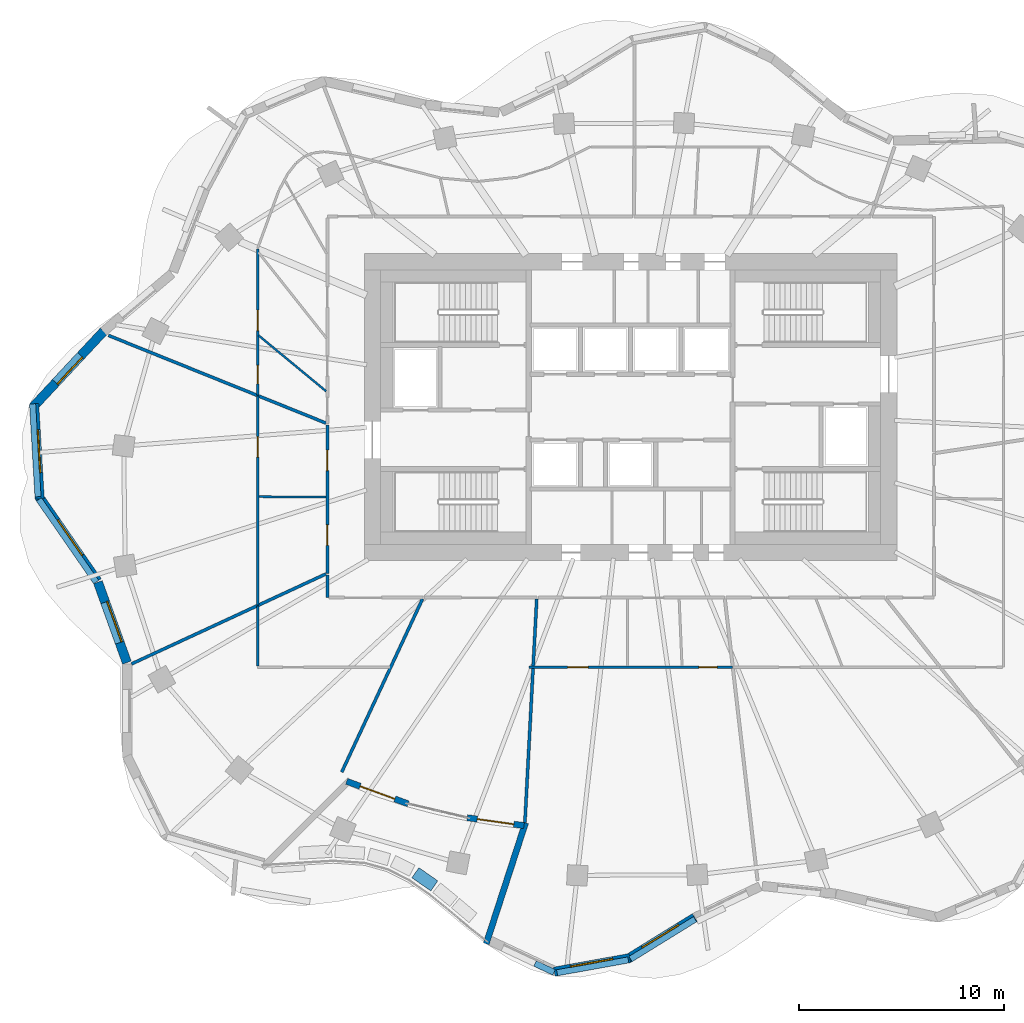
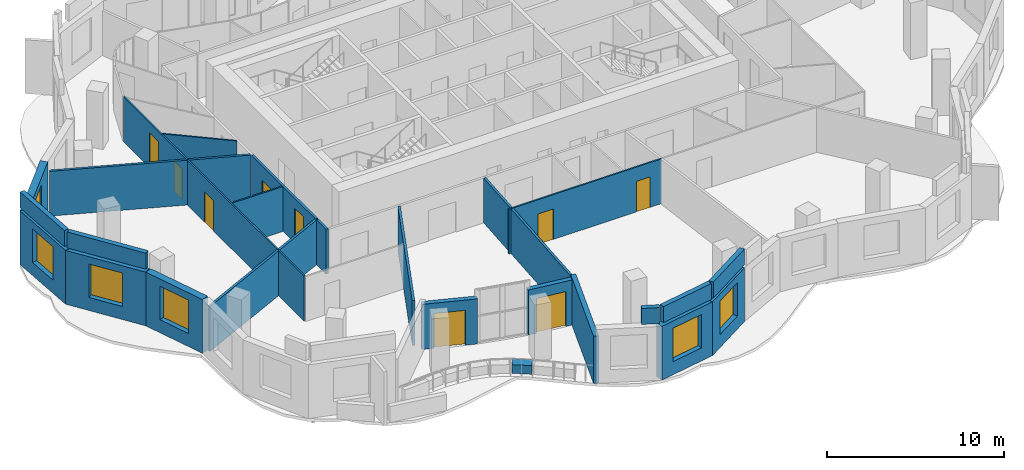
# One storey, part 5 of 13: 27 walls, 9 doors, 6 windows, 15 openings.
"""IFC4 building model written with IfcOpenShell, lengths in metres."""

import ifcopenshell
import ifcopenshell.guid

model = None  # the IFC model being written
_history = None  # IfcOwnerHistory: only IFC2X3 demands one
_inside = {}  # id of a spatial element -> (the spatial element, [elements in it])
_under = {}  # id of a project, library or spatial element -> (it, [spatial elements below it])
_declared = {}  # id of a project -> (the project, [libraries it declares])
_typed = {}  # id of a type object -> (the type object, [elements of that type])
_made_of = {}  # id of a material, layer set ... -> (it, [elements and type objects made of it])


def new_model(schema):
    """Start an empty IFC model of exactly this schema.

    Asked for "IFC4X3", IfcOpenShell would pick the latest addendum, in which some entities
    have other attributes; the version numbers below select the first issue.
    IFC2X3 requires an IfcOwnerHistory on every rooted entity: one is made here for all.
    """
    global model, _history
    if schema == "IFC4X3":
        model = ifcopenshell.file(schema_version=(4, 3, 0, 0))
    else:
        model = ifcopenshell.file(schema=schema)
    _inside.clear()
    _under.clear()
    _declared.clear()
    _typed.clear()
    _made_of.clear()
    _history = None
    if model.schema == "IFC2X3":
        org = make("IfcOrganization", Name="unknown")
        user = make(
            "IfcPersonAndOrganization",
            ThePerson=make("IfcPerson", FamilyName="unknown"),
            TheOrganization=org,
        )
        app = make(
            "IfcApplication",
            ApplicationDeveloper=org,
            Version="unknown",
            ApplicationFullName="unknown",
            ApplicationIdentifier="unknown",
        )
        _history = make(
            "IfcOwnerHistory",
            OwningUser=user,
            OwningApplication=app,
            ChangeAction="ADDED",
            CreationDate=0,
        )
    return model


def make(cls, **values):
    """One entity of the class cls with the attributes given. An attribute that is None is left unset."""
    return model.create_entity(
        cls, **{name: value for name, value in values.items() if value is not None}
    )


def rooted(cls, **values):
    """An entity with a GlobalId (a new one), such as an element, a storey or a relation."""
    return make(cls, GlobalId=ifcopenshell.guid.new(), OwnerHistory=_history, **values)


def si_unit(unit_type, name, prefix=None):
    """IfcSIUnit, for example si_unit("LENGTHUNIT", "METRE", prefix="MILLI")."""
    return make("IfcSIUnit", UnitType=unit_type, Prefix=prefix, Name=name)


def assignment(units):
    """IfcUnitAssignment: the units of a project."""
    return None if units is None else make("IfcUnitAssignment", Units=units)


def point(xyz):
    """IfcCartesianPoint."""
    return None if xyz is None else make("IfcCartesianPoint", Coordinates=xyz)


def direction(xyz):
    """IfcDirection."""
    return None if xyz is None else make("IfcDirection", DirectionRatios=xyz)


def frame(location, z_axis=None, x_axis=None):
    """IfcAxis2Placement3D, a coordinate frame: its origin and axes. An axis left out is left unset."""
    return make(
        "IfcAxis2Placement3D",
        Location=point(location),
        Axis=direction(z_axis),
        RefDirection=direction(x_axis),
    )


def frame_2d(location, x_axis=None):
    """IfcAxis2Placement2D, a coordinate frame in the plane: its origin and x axis."""
    return make(
        "IfcAxis2Placement2D", Location=point(location), RefDirection=direction(x_axis)
    )


def origin():
    """The frame at (0, 0, 0) with its axes left unset."""
    return frame((0.0, 0.0, 0.0))


def place(relative_to, where):
    """IfcLocalPlacement: puts the frame where relative to a parent placement (None: the world)."""
    return make(
        "IfcLocalPlacement", PlacementRelTo=relative_to, RelativePlacement=where
    )


def context(
    kind, dimensions, precision=None, world=None, true_north=None, identifier=None
):
    """IfcGeometricRepresentationContext, for example the 3D "Model" context."""
    return make(
        "IfcGeometricRepresentationContext",
        ContextIdentifier=identifier,
        ContextType=kind,
        CoordinateSpaceDimension=dimensions,
        Precision=precision,
        WorldCoordinateSystem=world,
        TrueNorth=true_north,
    )


def subcontext(parent, identifier, kind, view, scale=None):
    """IfcGeometricRepresentationSubContext, for example "Body" below "Model"."""
    return make(
        "IfcGeometricRepresentationSubContext",
        ContextIdentifier=identifier,
        ContextType=kind,
        ParentContext=parent,
        TargetScale=scale,
        TargetView=view,
    )


def project(units=None, contexts=None):
    """IfcProject with its units and contexts."""
    return rooted(
        "IfcProject",
        Name="project",
        RepresentationContexts=contexts,
        UnitsInContext=assignment(units),
    )


def spatial(cls, under=None, at=None, **own):
    """A site, building, storey or space (cls), placed at a placement, below another one or the project."""
    s = rooted(cls, ObjectPlacement=at, **own)
    if under is not None:
        _under.setdefault(under.id(), (under, []))[1].append(s)
    return s


def profile(cls, at=None, kind="AREA", **sizes):
    """A parametric profile (cls). Its sizes go by their IFC names, for example OverallWidth=200.0."""
    return make(cls, ProfileType=kind, Position=at, **sizes)


def rectangle(**sizes):
    """IfcRectangleProfileDef."""
    return profile("IfcRectangleProfileDef", **sizes)


def extrude(swept, where, along, depth):
    """IfcExtrudedAreaSolid: the profile swept, set in the frame where, extruded along a direction by depth."""
    return make(
        "IfcExtrudedAreaSolid",
        SweptArea=swept,
        Position=where,
        ExtrudedDirection=direction(along),
        Depth=depth,
    )


def shape(context_of_items, identifier, shape_type, items):
    """IfcShapeRepresentation: the items that make up one representation, for example the "Body"."""
    return make(
        "IfcShapeRepresentation",
        ContextOfItems=context_of_items,
        RepresentationIdentifier=identifier,
        RepresentationType=shape_type,
        Items=items,
    )


def material(Name=None, Category=None):
    """IfcMaterial."""
    return make("IfcMaterial", Name=Name, Category=Category)


def layer(
    of_material, thickness, ventilated=None, Name=None, Category=None, Priority=None
):
    """IfcMaterialLayer: one layer of a wall or slab, of a material (None: an air gap)."""
    return make(
        "IfcMaterialLayer",
        Material=of_material,
        LayerThickness=thickness,
        IsVentilated=ventilated,
        Name=Name,
        Category=Category,
        Priority=Priority,
    )


def layer_set(layers, Name=None):
    """IfcMaterialLayerSet."""
    return make("IfcMaterialLayerSet", MaterialLayers=layers, LayerSetName=Name)


def made_of(thing, what):
    """Note that an element or type object is made of a material, layer set ...; save() writes the relation."""
    if what is not None:
        _made_of.setdefault(what.id(), (what, []))[1].append(thing)
    return thing


def type_object(cls, material=None, **own):
    """A type object (cls), such as IfcWallType, which elements share."""
    return made_of(rooted(cls, **own), material)


def element(
    cls,
    number,
    at=None,
    inside=None,
    cuts=None,
    type_object=None,
    material=None,
    context=None,
    identifier="Body",
    shape_type=None,
    held_by="IfcProductDefinitionShape",
    body=None,
    shapes=None,
    **own,
):
    """One element of the class cls, such as IfcWall. Its Tag is "e" and its number.

    at: its placement. inside: the storey or other place that contains it. cuts: it is an
    opening in that element (IfcRelVoidsElement). A single representation is given by context,
    identifier, shape_type and body (its items); several are given by shapes. held_by: the class
    of the entity that holds the representations. save() writes the other relations.
    """
    e = rooted(cls, Tag="e%d" % number, ObjectPlacement=at, **own)
    if body is not None:
        shapes = [shape(context, identifier, shape_type, body)]
    if shapes is not None:
        e.Representation = make(held_by, Representations=shapes)
    if inside is not None:
        _inside.setdefault(inside.id(), (inside, []))[1].append(e)
    if cuts is not None:
        rooted(
            "IfcRelVoidsElement", RelatingBuildingElement=cuts, RelatedOpeningElement=e
        )
    if type_object is not None:
        _typed.setdefault(type_object.id(), (type_object, []))[1].append(e)
    return made_of(e, material)


def fill(opening, filler):
    """IfcRelFillsElement: the door or window that sits in an opening."""
    return rooted(
        "IfcRelFillsElement",
        RelatingOpeningElement=opening,
        RelatedBuildingElement=filler,
    )


def aggregate(whole, parts):
    """IfcRelAggregates: a whole, such as a stair, and the parts it consists of."""
    return rooted("IfcRelAggregates", RelatingObject=whole, RelatedObjects=parts)


def save(model, path):
    """Write the relations noted so far, then the file.

    IfcRelAggregates (storeys below a building ...), IfcRelContainedInSpatialStructure (elements
    in a storey), IfcRelDefinesByType, IfcRelAssociatesMaterial and IfcRelDeclares: one each for
    every whole, place, type object, material and project.
    """
    for whole, parts in _under.values():
        aggregate(whole, parts)
    for where, things in _inside.values():
        rooted(
            "IfcRelContainedInSpatialStructure",
            RelatedElements=things,
            RelatingStructure=where,
        )
    for kind, things in _typed.values():
        rooted("IfcRelDefinesByType", RelatedObjects=things, RelatingType=kind)
    for what, things in _made_of.values():
        rooted("IfcRelAssociatesMaterial", RelatedObjects=things, RelatingMaterial=what)
    for by, libraries in _declared.values():
        rooted("IfcRelDeclares", RelatingContext=by, RelatedDefinitions=libraries)
    model.write(path)


model = new_model("IFC4")

# Units and contexts
model_context = context("Model", 3, precision=1e-05, world=origin(), true_north=direction((0.0, 1.0)))
body_context = subcontext(model_context, "Body", "Model", "MODEL_VIEW")
ifc_project = project(units=[si_unit("LENGTHUNIT", "METRE"), si_unit("AREAUNIT", "SQUARE_METRE"), si_unit("VOLUMEUNIT", "CUBIC_METRE"), si_unit("PLANEANGLEUNIT", "RADIAN"), si_unit("MASSUNIT", "GRAM", prefix="KILO")], contexts=[model_context])

# Site, building, storey
site_placement = place(None, origin())
site = spatial("IfcSite", under=ifc_project, at=site_placement, CompositionType="ELEMENT")
building_placement = place(site_placement, origin())
building = spatial("IfcBuilding", under=site, at=building_placement, Name="Rubra Terraces Tower", CompositionType="ELEMENT")
storey_placement = place(building_placement, frame((0.0, 0.0, 252.60009765625)))
storey = spatial("IfcBuildingStorey", under=building, at=storey_placement, Name="L62", CompositionType="ELEMENT", Elevation=252.60009765625)

# Wall, opening, window
ifc_material_1 = material(Name="Brick masonry red-brown", Category="masonry")
ifc_layer_1 = layer(ifc_material_1, 0.449951171875)
ifc_layer_set_1 = layer_set([ifc_layer_1], Name="Brick masonry red-brown")
wall_type_1 = type_object("IfcWallType", Name="Brick facade wall 450", PredefinedType="SOLIDWALL", material=ifc_layer_set_1)
wall_1_placement = place(storey_placement, frame((-25.716796875, 8.20068359375, 0.0), z_axis=(0.0, 0.0, 1.0), x_axis=(-0.681990073025, -0.731361429319, 0.0)))
wall_1 = element("IfcWall", 1, at=wall_1_placement, inside=storey, type_object=wall_type_1, Name="Facade wall L62 bay 19", PredefinedType="SOLIDWALL", context=body_context, shape_type="SweptSolid", body=[
    extrude(rectangle(XDim=5.063720703125, YDim=0.449951171875, at=frame_2d((2.53173828125, 0.0))), origin(), (0.0, 0.0, 1.0), 3.699951171875),
])
opening_1_placement = place(wall_1_placement, frame((1.6318359375, 0.0, 0.89990234375)))
opening_1 = element("IfcOpeningElement", 2, at=opening_1_placement, cuts=wall_1, Name="Opening W6B", PredefinedType="OPENING", context=body_context, shape_type="SweptSolid", body=[
    extrude(rectangle(XDim=1.800048828125, YDim=2.300048828125, at=frame_2d((0.89990234375, 1.14990234375))), frame((0.0, 0.23486328125, 0.0), z_axis=(0.0, -1.0, 0.0), x_axis=(1.0, 0.0, 0.0)), (0.0, 0.0, 1.0), 0.469970703125),
])
ifc_material_2 = material(Name="Clear glass in aluminium frame", Category="aluminium")
window_type_1 = type_object("IfcWindowType", Name="Fixed deep-set window at wind fin tall storey 1800 x 2300", PartitioningType="SINGLE_PANEL", PredefinedType="WINDOW", material=ifc_material_2)
window_1_placement = place(opening_1_placement, origin())
window_1 = element("IfcWindow", 3, at=window_1_placement, inside=storey, type_object=window_type_1, Name="Window L62 bay 19", OverallHeight=2.300048828125, OverallWidth=1.800048828125, PartitioningType="SINGLE_PANEL", PredefinedType="WINDOW", context=body_context, shape_type="SweptSolid", body=[
    extrude(rectangle(XDim=1.800048828125, YDim=2.300048828125, at=frame_2d((0.89990234375, 1.14990234375))), frame((0.0, 0.135009765625, 0.0), z_axis=(0.0, -1.0, 0.0), x_axis=(1.0, 0.0, 0.0)), (0.0, 0.0, 1.0), 0.06005859375),
])
fill(opening_1, window_1)

wall_2_placement = place(storey_placement, frame((-29.11328125, 4.66015625, 0.0), z_axis=(0.0, 0.0, 1.0), x_axis=(0.058217785859, -0.998303906338, 0.0)))
wall_2 = element("IfcWall", 4, at=wall_2_placement, inside=storey, type_object=wall_type_1, Name="Facade wall L62 bay 20", PredefinedType="SOLIDWALL", context=body_context, shape_type="SweptSolid", body=[
    extrude(rectangle(XDim=4.65478515625, YDim=0.449951171875, at=frame_2d((2.327392578125, 0.0))), origin(), (0.0, 0.0, 1.0), 3.699951171875),
])
opening_2_placement = place(wall_2_placement, frame((1.27734375, 0.0, 0.89990234375)))
opening_2 = element("IfcOpeningElement", 5, at=opening_2_placement, cuts=wall_2, Name="Opening W1B", PredefinedType="OPENING", context=body_context, shape_type="SweptSolid", body=[
    extrude(rectangle(XDim=2.10009765625, YDim=2.300048828125, at=frame_2d((1.050048828125, 1.14990234375))), frame((0.0, 0.23486328125, 0.0), z_axis=(0.0, -1.0, 0.0), x_axis=(1.0, 0.0, 0.0)), (0.0, 0.0, 1.0), 0.469970703125),
])
window_type_2 = type_object("IfcWindowType", Name="Fixed deep-set window tall storey 2100 x 2300", PartitioningType="SINGLE_PANEL", PredefinedType="WINDOW", material=ifc_material_2)
window_2_placement = place(opening_2_placement, origin())
window_2 = element("IfcWindow", 6, at=window_2_placement, inside=storey, type_object=window_type_2, Name="Window L62 bay 20", OverallHeight=2.300048828125, OverallWidth=2.10009765625, PartitioningType="SINGLE_PANEL", PredefinedType="WINDOW", context=body_context, shape_type="SweptSolid", body=[
    extrude(rectangle(XDim=2.10009765625, YDim=2.300048828125, at=frame_2d((1.050048828125, 1.14990234375))), frame((0.0, 0.135009765625, 0.0), z_axis=(0.0, -1.0, 0.0), x_axis=(1.0, 0.0, 0.0)), (0.0, 0.0, 1.0), 0.06005859375),
])
fill(opening_2, window_2)

wall_3_placement = place(storey_placement, frame((-28.87841796875, 0.122802734375, 0.0), z_axis=(0.0, 0.0, 1.0), x_axis=(0.569394732999, -0.8220642542, 0.0)))
wall_3 = element("IfcWall", 7, at=wall_3_placement, inside=storey, type_object=wall_type_1, Name="Facade wall L62 bay 21", PredefinedType="SOLIDWALL", context=body_context, shape_type="SweptSolid", body=[
    extrude(rectangle(XDim=5.015869140625, YDim=0.449951171875, at=frame_2d((2.5078125, 0.0))), origin(), (0.0, 0.0, 1.0), 3.699951171875),
])
opening_3_placement = place(wall_3_placement, frame((1.4580078125, 0.0, 0.89990234375)))
opening_3 = element("IfcOpeningElement", 8, at=opening_3_placement, cuts=wall_3, Name="Opening W1B", PredefinedType="OPENING", context=body_context, shape_type="SweptSolid", body=[
    extrude(rectangle(XDim=2.10009765625, YDim=2.300048828125, at=frame_2d((1.050048828125, 1.14990234375))), frame((0.0, 0.23486328125, 0.0), z_axis=(0.0, -1.0, 0.0), x_axis=(1.0, 0.0, 0.0)), (0.0, 0.0, 1.0), 0.469970703125),
])
window_3_placement = place(opening_3_placement, origin())
window_3 = element("IfcWindow", 9, at=window_3_placement, inside=storey, type_object=window_type_2, Name="Window L62 bay 21", OverallHeight=2.300048828125, OverallWidth=2.10009765625, PartitioningType="SINGLE_PANEL", PredefinedType="WINDOW", context=body_context, shape_type="SweptSolid", body=[
    extrude(rectangle(XDim=2.10009765625, YDim=2.300048828125, at=frame_2d((1.050048828125, 1.14990234375))), frame((0.0, 0.135009765625, 0.0), z_axis=(0.0, -1.0, 0.0), x_axis=(1.0, 0.0, 0.0)), (0.0, 0.0, 1.0), 0.06005859375),
])
fill(opening_3, window_3)

wall_4_placement = place(storey_placement, frame((-25.99951171875, -4.047119140625, 0.0), z_axis=(0.0, 0.0, 1.0), x_axis=(0.338924456066, -0.940813591037, 0.0)))
wall_4 = element("IfcWall", 10, at=wall_4_placement, inside=storey, type_object=wall_type_1, Name="Facade wall L62 bay 22", PredefinedType="SOLIDWALL", context=body_context, shape_type="SweptSolid", body=[
    extrude(rectangle(XDim=4.175048828125, YDim=0.449951171875, at=frame_2d((2.08740234375, 0.0))), origin(), (0.0, 0.0, 1.0), 3.699951171875),
])
opening_4_placement = place(wall_4_placement, frame((1.03759765625, 0.0, 0.89990234375)))
opening_4 = element("IfcOpeningElement", 11, at=opening_4_placement, cuts=wall_4, Name="Opening W1B", PredefinedType="OPENING", context=body_context, shape_type="SweptSolid", body=[
    extrude(rectangle(XDim=2.10009765625, YDim=2.300048828125, at=frame_2d((1.050048828125, 1.14990234375))), frame((0.0, 0.23486328125, 0.0), z_axis=(0.0, -1.0, 0.0), x_axis=(1.0, 0.0, 0.0)), (0.0, 0.0, 1.0), 0.469970703125),
])
window_4_placement = place(opening_4_placement, origin())
window_4 = element("IfcWindow", 12, at=window_4_placement, inside=storey, type_object=window_type_2, Name="Window L62 bay 22", OverallHeight=2.300048828125, OverallWidth=2.10009765625, PartitioningType="SINGLE_PANEL", PredefinedType="WINDOW", context=body_context, shape_type="SweptSolid", body=[
    extrude(rectangle(XDim=2.10009765625, YDim=2.300048828125, at=frame_2d((1.050048828125, 1.14990234375))), frame((0.0, 0.135009765625, 0.0), z_axis=(0.0, -1.0, 0.0), x_axis=(1.0, 0.0, 0.0)), (0.0, 0.0, 1.0), 0.06005859375),
])
fill(opening_4, window_4)

wall_5_placement = place(storey_placement, frame((-3.726806640625, -23.060546875, 0.0), z_axis=(0.0, 0.0, 1.0), x_axis=(0.984119180424, 0.177508982087, 0.0)))
wall_5 = element("IfcWall", 13, at=wall_5_placement, inside=storey, type_object=wall_type_1, Name="Facade wall L62 bay 30", PredefinedType="SOLIDWALL", context=body_context, shape_type="SweptSolid", body=[
    extrude(rectangle(XDim=3.74658203125, YDim=0.449951171875, at=frame_2d((1.873291015625, 0.0))), origin(), (0.0, 0.0, 1.0), 3.699951171875),
])
opening_5_placement = place(wall_5_placement, frame((0.8232421875, 0.0, 0.89990234375)))
opening_5 = element("IfcOpeningElement", 14, at=opening_5_placement, cuts=wall_5, Name="Opening W1B", PredefinedType="OPENING", context=body_context, shape_type="SweptSolid", body=[
    extrude(rectangle(XDim=2.10009765625, YDim=2.300048828125, at=frame_2d((1.050048828125, 1.14990234375))), frame((0.0, 0.23486328125, 0.0), z_axis=(0.0, -1.0, 0.0), x_axis=(1.0, 0.0, 0.0)), (0.0, 0.0, 1.0), 0.469970703125),
])
window_5_placement = place(opening_5_placement, origin())
window_5 = element("IfcWindow", 15, at=window_5_placement, inside=storey, type_object=window_type_2, Name="Window L62 bay 30", OverallHeight=2.300048828125, OverallWidth=2.10009765625, PartitioningType="SINGLE_PANEL", PredefinedType="WINDOW", context=body_context, shape_type="SweptSolid", body=[
    extrude(rectangle(XDim=2.10009765625, YDim=2.300048828125, at=frame_2d((1.050048828125, 1.14990234375))), frame((0.0, 0.135009765625, 0.0), z_axis=(0.0, -1.0, 0.0), x_axis=(1.0, 0.0, 0.0)), (0.0, 0.0, 1.0), 0.06005859375),
])
fill(opening_5, window_5)

wall_6_placement = place(storey_placement, frame((-0.114990234375, -22.423583984375, 0.0), z_axis=(0.0, 0.0, 1.0), x_axis=(0.8506970368, 0.525656305564, 0.0)))
wall_6 = element("IfcWall", 16, at=wall_6_placement, inside=storey, type_object=wall_type_1, Name="Facade wall L62 bay 31", PredefinedType="SOLIDWALL", context=body_context, shape_type="SweptSolid", body=[
    extrude(rectangle(XDim=3.81640625, YDim=0.449951171875, at=frame_2d((1.908203125, 0.0))), origin(), (0.0, 0.0, 1.0), 3.699951171875),
])
opening_6_placement = place(wall_6_placement, frame((0.858154296875, 0.0, 0.89990234375)))
opening_6 = element("IfcOpeningElement", 17, at=opening_6_placement, cuts=wall_6, Name="Opening W1B", PredefinedType="OPENING", context=body_context, shape_type="SweptSolid", body=[
    extrude(rectangle(XDim=2.10009765625, YDim=2.300048828125, at=frame_2d((1.050048828125, 1.14990234375))), frame((0.0, 0.23486328125, 0.0), z_axis=(0.0, -1.0, 0.0), x_axis=(1.0, 0.0, 0.0)), (0.0, 0.0, 1.0), 0.469970703125),
])
window_6_placement = place(opening_6_placement, origin())
window_6 = element("IfcWindow", 18, at=window_6_placement, inside=storey, type_object=window_type_2, Name="Window L62 bay 31", OverallHeight=2.300048828125, OverallWidth=2.10009765625, PartitioningType="SINGLE_PANEL", PredefinedType="WINDOW", context=body_context, shape_type="SweptSolid", body=[
    extrude(rectangle(XDim=2.10009765625, YDim=2.300048828125, at=frame_2d((1.050048828125, 1.14990234375))), frame((0.0, 0.135009765625, 0.0), z_axis=(0.0, -1.0, 0.0), x_axis=(1.0, 0.0, 0.0)), (0.0, 0.0, 1.0), 0.06005859375),
])
fill(opening_6, window_6)

# Walls
ifc_layer_2 = layer(ifc_material_1, 0.300048828125)
ifc_layer_set_2 = layer_set([ifc_layer_2], Name="Brick masonry red-brown")
wall_type_2 = type_object("IfcWallType", Name="Brick parapet 300", PredefinedType="PARAPET", material=ifc_layer_set_2)
wall_7_placement = place(storey_placement, frame((-29.188232421875, 4.65576171875, 3.89990234375), z_axis=(0.0, 0.0, 1.0), x_axis=(0.058230319325, -0.998303175349, 0.0)))
element("IfcWall", 19, at=wall_7_placement, inside=storey, type_object=wall_type_2, Name="Parapet L62 bay 20", PredefinedType="PARAPET", context=body_context, shape_type="SweptSolid", body=[
    extrude(rectangle(XDim=4.540771484375, YDim=0.300048828125, at=frame_2d((2.2705078125, 0.0))), origin(), (0.0, 0.0, 1.0), 1.10009765625),
])
wall_8_placement = place(storey_placement, frame((-28.878662109375, -0.008544921875, 3.89990234375), z_axis=(0.0, 0.0, 1.0), x_axis=(0.569370412902, -0.822081098744, 0.0)))
element("IfcWall", 20, at=wall_8_placement, inside=storey, type_object=wall_type_2, Name="Parapet L62 bay 21", PredefinedType="PARAPET", context=body_context, shape_type="SweptSolid", body=[
    extrude(rectangle(XDim=4.90576171875, YDim=0.300048828125, at=frame_2d((2.452880859375, 0.0))), origin(), (0.0, 0.0, 1.0), 1.10009765625),
])
wall_9_placement = place(storey_placement, frame((-4.66650390625, -22.656005859375, 3.89990234375), z_axis=(0.0, 0.0, 1.0), x_axis=(0.905050240273, -0.425304670304, 0.0)))
element("IfcWall", 21, at=wall_9_placement, inside=storey, type_object=wall_type_2, Name="Parapet L62 bay 29", PredefinedType="PARAPET", context=body_context, shape_type="SweptSolid", body=[
    extrude(rectangle(XDim=1.02685546875, YDim=0.300048828125, at=frame_2d((0.513427734375, 0.0))), origin(), (0.0, 0.0, 1.0), 1.10009765625),
])
wall_10_placement = place(storey_placement, frame((-3.58984375, -23.112060546875, 3.89990234375), z_axis=(0.0, 0.0, 1.0), x_axis=(0.984124248147, 0.177480884064, 0.0)))
element("IfcWall", 22, at=wall_10_placement, inside=storey, type_object=wall_type_2, Name="Parapet L62 bay 30", PredefinedType="PARAPET", context=body_context, shape_type="SweptSolid", body=[
    extrude(rectangle(XDim=3.533935546875, YDim=0.300048828125, at=frame_2d((1.76708984375, 0.0))), origin(), (0.0, 0.0, 1.0), 1.10009765625),
])
wall_11_placement = place(storey_placement, frame((-0.0048828125, -22.443603515625, 3.89990234375), z_axis=(0.0, 0.0, 1.0), x_axis=(0.850710394144, 0.525634688063, 0.0)))
element("IfcWall", 23, at=wall_11_placement, inside=storey, type_object=wall_type_2, Name="Parapet L62 bay 31", PredefinedType="PARAPET", context=body_context, shape_type="SweptSolid", body=[
    extrude(rectangle(XDim=3.701904296875, YDim=0.300048828125, at=frame_2d((1.85107421875, 0.0))), origin(), (0.0, 0.0, 1.0), 1.10009765625),
])

# Wall, openings, doors
ifc_material_3 = material(Name="Plasterboard on steel stud, mineral wool infill", Category="steel")
ifc_layer_3 = layer(ifc_material_3, 0.14990234375)
ifc_layer_set_3 = layer_set([ifc_layer_3], Name="Plasterboard on steel stud, mineral wool infill")
wall_type_3 = type_object("IfcWallType", Name="CORRIDOR PARTITION 150", PredefinedType="PARTITIONING", material=ifc_layer_set_3)
wall_12_placement = place(storey_placement, frame((-14.800048828125, 3.61181640625, 0.0), z_axis=(0.0, 0.0, 1.0), x_axis=(0.0, -1.0, 0.0)))
wall_12 = element("IfcWall", 24, at=wall_12_placement, inside=storey, type_object=wall_type_3, Name="PARTITION", PredefinedType="PARTITIONING", context=body_context, shape_type="SweptSolid", body=[
    extrude(rectangle(XDim=7.22509765625, YDim=0.14990234375, at=frame_2d((3.612548828125, 0.0))), origin(), (0.0, 0.0, 1.0), 3.083984375),
])
opening_7_placement = place(wall_12_placement, frame((1.217041015625, 0.0, 0.0)))
opening_7 = element("IfcOpeningElement", 25, at=opening_7_placement, cuts=wall_12, Name="Opening 62-113", PredefinedType="OPENING", context=body_context, shape_type="SweptSolid", body=[
    extrude(rectangle(XDim=1.0, YDim=2.10009765625, at=frame_2d((0.5, 1.050048828125))), frame((0.0, 0.0849609375, 0.0), z_axis=(0.0, -1.0, 0.0), x_axis=(1.0, 0.0, 0.0)), (0.0, 0.0, 1.0), 0.169921875),
])
opening_8_placement = place(wall_12_placement, frame((4.866943359375, 0.0, 0.0)))
opening_8 = element("IfcOpeningElement", 26, at=opening_8_placement, cuts=wall_12, Name="Opening 62-115", PredefinedType="OPENING", context=body_context, shape_type="SweptSolid", body=[
    extrude(rectangle(XDim=1.0, YDim=2.39990234375, at=frame_2d((0.5, 1.199951171875))), frame((0.0, 0.0849609375, 0.0), z_axis=(0.0, -1.0, 0.0), x_axis=(1.0, 0.0, 0.0)), (0.0, 0.0, 1.0), 0.169921875),
])
ifc_material_4 = material(Name="Glazed aluminium meeting door leaf", Category="aluminium")
door_type_1 = type_object("IfcDoorType", Name="MEETING ROOM GLAZED DOOR 1000 X 2400", OperationType="SINGLE_SWING_LEFT", PredefinedType="DOOR", material=ifc_material_4)
door_1_placement = place(opening_8_placement, origin())
door_1 = element("IfcDoor", 27, at=door_1_placement, inside=storey, type_object=door_type_1, Name="DOOR 62-115", OperationType="SINGLE_SWING_RIGHT", OverallHeight=2.39990234375, OverallWidth=1.0, PredefinedType="DOOR", context=body_context, shape_type="SweptSolid", body=[
    extrude(rectangle(XDim=1.0, YDim=2.39990234375, at=frame_2d((0.5, 1.199951171875))), frame((0.0, 0.02490234375, 0.0), z_axis=(0.0, -1.0, 0.0), x_axis=(1.0, 0.0, 0.0)), (0.0, 0.0, 1.0), 0.050048828125),
])
fill(opening_8, door_1)
ifc_material_5 = material(Name="Painted timber door leaf", Category="wood")
door_type_2 = type_object("IfcDoorType", Name="ROOM DOOR 1000 X 2100", OperationType="SINGLE_SWING_LEFT", PredefinedType="DOOR", material=ifc_material_5)
door_2_placement = place(opening_7_placement, origin())
door_2 = element("IfcDoor", 28, at=door_2_placement, inside=storey, type_object=door_type_2, Name="DOOR 62-113", OperationType="SINGLE_SWING_RIGHT", OverallHeight=2.10009765625, OverallWidth=1.0, PredefinedType="DOOR", context=body_context, shape_type="SweptSolid", body=[
    extrude(rectangle(XDim=1.0, YDim=2.10009765625, at=frame_2d((0.5, 1.050048828125))), frame((0.0, 0.02490234375, 0.0), z_axis=(0.0, -1.0, 0.0), x_axis=(1.0, 0.0, 0.0)), (0.0, 0.0, 1.0), 0.050048828125),
])
fill(opening_7, door_2)

# Walls
wall_13_placement = place(storey_placement, frame((-14.800048828125, -3.688232421875, 0.0), z_axis=(0.0, 0.0, 1.0), x_axis=(0.0, -1.0, 0.0)))
element("IfcWall", 29, at=wall_13_placement, inside=storey, type_object=wall_type_3, Name="PARTITION", PredefinedType="PARTITIONING", context=body_context, shape_type="SweptSolid", body=[
    extrude(rectangle(XDim=1.11181640625, YDim=0.14990234375, at=frame_2d((0.555908203125, 0.0))), origin(), (0.0, 0.0, 1.0), 3.083984375),
])
ifc_material_6 = material(Name="Brick masonry with ochre lime render", Category="masonry")
ifc_layer_4 = layer(ifc_material_6, 0.300048828125)
ifc_layer_set_4 = layer_set([ifc_layer_4], Name="Brick masonry with ochre lime render")
wall_type_4 = type_object("IfcWallType", Name="Ochre rendered brick wall 300", PredefinedType="SOLIDWALL", material=ifc_layer_set_4)
wall_14_placement = place(storey_placement, frame((-7.051025390625, -21.700927734375, 0.0), z_axis=(0.0, 0.0, 1.0), x_axis=(0.309061186731, 0.951042156193, 0.0)))
element("IfcWall", 30, at=wall_14_placement, inside=storey, type_object=wall_type_4, Name="Terrace side wall L62.2", PredefinedType="SOLIDWALL", context=body_context, shape_type="SweptSolid", body=[
    extrude(rectangle(XDim=6.21142578125, YDim=0.300048828125, at=frame_2d((3.105712890625, 0.0))), origin(), (0.0, 0.0, 1.0), 3.25390625),
])

# Wall, opening, door
ifc_layer_5 = layer(ifc_material_6, 0.300048828125)
ifc_layer_set_5 = layer_set([ifc_layer_5], Name="Brick masonry with ochre lime render")
wall_type_5 = type_object("IfcWallType", Name="Ochre rendered brick wall 300, head to beam soffit B", PredefinedType="SOLIDWALL", material=ifc_layer_set_5)
wall_15_placement = place(storey_placement, frame((-13.857421875, -13.768310546875, 0.0), z_axis=(0.0, 0.0, 1.0), x_axis=(0.939035731174, -0.343819568347, 0.0)))
wall_15 = element("IfcWall", 31, at=wall_15_placement, inside=storey, type_object=wall_type_5, Name="Terrace wall L62 bay 26", PredefinedType="SOLIDWALL", context=body_context, shape_type="SweptSolid", body=[
    extrude(rectangle(XDim=3.198974609375, YDim=0.300048828125, at=frame_2d((1.599609375, 0.0))), origin(), (0.0, 0.0, 1.0), 3.10400390625),
])
opening_9_placement = place(wall_15_placement, frame((0.699462890625, 0.0, 0.0)))
opening_9 = element("IfcOpeningElement", 32, at=opening_9_placement, cuts=wall_15, Name="Opening T62.1", PredefinedType="OPENING", context=body_context, shape_type="SweptSolid", body=[
    extrude(rectangle(XDim=1.800048828125, YDim=2.39990234375, at=frame_2d((0.89990234375, 1.199951171875))), frame((0.0, 0.159912109375, 0.0), z_axis=(0.0, -1.0, 0.0), x_axis=(1.0, 0.0, 0.0)), (0.0, 0.0, 1.0), 0.320068359375),
])
ifc_material_7 = material(Name="Glazed aluminium door leaf", Category="aluminium")
door_type_3 = type_object("IfcDoorType", Name="Terrace double door 1800 x 2400", OperationType="DOUBLE_DOOR_DOUBLE_SWING", PredefinedType="DOOR", material=ifc_material_7)
door_3_placement = place(opening_9_placement, origin())
door_3 = element("IfcDoor", 33, at=door_3_placement, inside=storey, type_object=door_type_3, Name="Terrace door L62.1", OperationType="DOUBLE_DOOR_DOUBLE_SWING", OverallHeight=2.39990234375, OverallWidth=1.800048828125, PredefinedType="DOOR", context=body_context, shape_type="SweptSolid", body=[
    extrude(rectangle(XDim=1.800048828125, YDim=2.39990234375, at=frame_2d((0.89990234375, 1.199951171875))), frame((0.0, 0.02490234375, 0.0), z_axis=(0.0, -1.0, 0.0), x_axis=(1.0, 0.0, 0.0)), (0.0, 0.0, 1.0), 0.050048828125),
])
fill(opening_9, door_3)

wall_16_placement = place(storey_placement, frame((-7.975341796875, -15.54443359375, 0.0), z_axis=(0.0, 0.0, 1.0), x_axis=(0.990444006368, -0.137915446016, 0.0)))
wall_16 = element("IfcWall", 34, at=wall_16_placement, inside=storey, type_object=wall_type_5, Name="Terrace wall L62 bay 28", PredefinedType="SOLIDWALL", context=body_context, shape_type="SweptSolid", body=[
    extrude(rectangle(XDim=2.798828125, YDim=0.300048828125, at=frame_2d((1.3994140625, 0.0))), origin(), (0.0, 0.0, 1.0), 3.10400390625),
])
opening_10_placement = place(wall_16_placement, frame((0.49951171875, 0.0, 0.0)))
opening_10 = element("IfcOpeningElement", 35, at=opening_10_placement, cuts=wall_16, Name="Opening T62.2", PredefinedType="OPENING", context=body_context, shape_type="SweptSolid", body=[
    extrude(rectangle(XDim=1.800048828125, YDim=2.39990234375, at=frame_2d((0.89990234375, 1.199951171875))), frame((0.0, 0.159912109375, 0.0), z_axis=(0.0, -1.0, 0.0), x_axis=(1.0, 0.0, 0.0)), (0.0, 0.0, 1.0), 0.320068359375),
])
door_4_placement = place(opening_10_placement, origin())
door_4 = element("IfcDoor", 36, at=door_4_placement, inside=storey, type_object=door_type_3, Name="Terrace door L62.2", OperationType="DOUBLE_DOOR_DOUBLE_SWING", OverallHeight=2.39990234375, OverallWidth=1.800048828125, PredefinedType="DOOR", context=body_context, shape_type="SweptSolid", body=[
    extrude(rectangle(XDim=1.800048828125, YDim=2.39990234375, at=frame_2d((0.89990234375, 1.199951171875))), frame((0.0, 0.02490234375, 0.0), z_axis=(0.0, -1.0, 0.0), x_axis=(1.0, 0.0, 0.0)), (0.0, 0.0, 1.0), 0.050048828125),
])
fill(opening_10, door_4)

# Wall
ifc_layer_6 = layer(ifc_material_6, 0.60009765625)
ifc_layer_set_6 = layer_set([ifc_layer_6], Name="Brick masonry with ochre lime render")
wall_type_6 = type_object("IfcWallType", Name="Planter box 600", PredefinedType="SOLIDWALL", material=ifc_layer_set_6)
wall_17_placement = place(storey_placement, frame((-10.504150390625, -18.22900390625, 0.0), z_axis=(0.0, 0.0, 1.0), x_axis=(0.819812123678, -0.572632588901, 0.0)))
element("IfcWall", 37, at=wall_17_placement, inside=storey, type_object=wall_type_6, Name="Planter L62.13", PredefinedType="SOLIDWALL", context=body_context, shape_type="SweptSolid", body=[
    extrude(rectangle(XDim=1.1259765625, YDim=0.60009765625, at=frame_2d((0.56298828125, 0.0))), origin(), (0.0, 0.0, 1.0), 0.599853515625),
])

# Wall, openings, doors
ifc_material_8 = material(Name="Plasterboard on steel stud", Category="steel")
ifc_layer_7 = layer(ifc_material_8, 0.10009765625)
ifc_layer_set_7 = layer_set([ifc_layer_7], Name="Plasterboard on steel stud")
wall_type_7 = type_object("IfcWallType", Name="ROOM PARTITION 100", PredefinedType="PARTITIONING", material=ifc_layer_set_7)
wall_18_placement = place(storey_placement, frame((-18.199951171875, 5.0791015625, 0.0), z_axis=(0.0, 0.0, 1.0), x_axis=(0.0, 1.0, 0.0)))
wall_18 = element("IfcWall", 38, at=wall_18_placement, inside=storey, type_object=wall_type_7, Name="PARTITION", PredefinedType="PARTITIONING", context=body_context, shape_type="SweptSolid", body=[
    extrude(rectangle(XDim=7.132080078125, YDim=0.10009765625, at=frame_2d((3.56591796875, 0.0))), origin(), (0.0, 0.0, 1.0), 3.083984375),
])
opening_11_placement = place(wall_18_placement, frame((0.550048828125, 0.0, 0.0)))
opening_11 = element("IfcOpeningElement", 39, at=opening_11_placement, cuts=wall_18, Name="Opening 62-112", PredefinedType="OPENING", context=body_context, shape_type="SweptSolid", body=[
    extrude(rectangle(XDim=0.89990234375, YDim=2.10009765625, at=frame_2d((0.449951171875, 1.050048828125))), frame((0.0, 0.06005859375, 0.0), z_axis=(0.0, -1.0, 0.0), x_axis=(1.0, 0.0, 0.0)), (0.0, 0.0, 1.0), 0.1201171875),
])
opening_12_placement = place(wall_18_placement, frame((3.14990234375, 0.0, 0.0)))
opening_12 = element("IfcOpeningElement", 40, at=opening_12_placement, cuts=wall_18, Name="Opening 62-131", PredefinedType="OPENING", context=body_context, shape_type="SweptSolid", body=[
    extrude(rectangle(XDim=1.0, YDim=2.39990234375, at=frame_2d((0.5, 1.199951171875))), frame((0.0, 0.06005859375, 0.0), z_axis=(0.0, -1.0, 0.0), x_axis=(1.0, 0.0, 0.0)), (0.0, 0.0, 1.0), 0.1201171875),
])
door_5_placement = place(opening_12_placement, origin())
door_5 = element("IfcDoor", 41, at=door_5_placement, inside=storey, type_object=door_type_1, Name="DOOR 62-131", OperationType="SINGLE_SWING_LEFT", OverallHeight=2.39990234375, OverallWidth=1.0, PredefinedType="DOOR", context=body_context, shape_type="SweptSolid", body=[
    extrude(rectangle(XDim=1.0, YDim=2.39990234375, at=frame_2d((0.5, 1.199951171875))), frame((0.0, 0.02490234375, 0.0), z_axis=(0.0, -1.0, 0.0), x_axis=(1.0, 0.0, 0.0)), (0.0, 0.0, 1.0), 0.050048828125),
])
fill(opening_12, door_5)
door_type_4 = type_object("IfcDoorType", Name="ROOM DOOR 900 X 2100", OperationType="SINGLE_SWING_LEFT", PredefinedType="DOOR", material=ifc_material_5)
door_6_placement = place(opening_11_placement, origin())
door_6 = element("IfcDoor", 42, at=door_6_placement, inside=storey, type_object=door_type_4, Name="DOOR 62-112", OperationType="SINGLE_SWING_LEFT", OverallHeight=2.10009765625, OverallWidth=0.89990234375, PredefinedType="DOOR", context=body_context, shape_type="SweptSolid", body=[
    extrude(rectangle(XDim=0.89990234375, YDim=2.10009765625, at=frame_2d((0.449951171875, 1.050048828125))), frame((0.0, 0.02490234375, 0.0), z_axis=(0.0, -1.0, 0.0), x_axis=(1.0, 0.0, 0.0)), (0.0, 0.0, 1.0), 0.050048828125),
])
fill(opening_11, door_6)

# Wall
wall_19_placement = place(storey_placement, frame((-14.85791015625, 5.268310546875, 0.0), z_axis=(0.0, 0.0, 1.0), x_axis=(-0.771123538213, 0.636685549399, 0.0)))
element("IfcWall", 43, at=wall_19_placement, inside=storey, type_object=wall_type_7, Name="PARTITION", PredefinedType="PARTITIONING", context=body_context, shape_type="SweptSolid", body=[
    extrude(rectangle(XDim=4.283935546875, YDim=0.10009765625, at=frame_2d((2.14208984375, 0.0))), origin(), (0.0, 0.0, 1.0), 3.083984375),
])

# Wall, opening, door
wall_20_placement = place(storey_placement, frame((-18.199951171875, -5.164794921875, 0.0), z_axis=(0.0, 0.0, 1.0), x_axis=(0.0, 1.0, 0.0)))
wall_20 = element("IfcWall", 44, at=wall_20_placement, inside=storey, type_object=wall_type_7, Name="PARTITION", PredefinedType="PARTITIONING", context=body_context, shape_type="SweptSolid", body=[
    extrude(rectangle(XDim=10.20068359375, YDim=0.10009765625, at=frame_2d((5.100341796875, 0.0))), origin(), (0.0, 0.0, 1.0), 3.083984375),
])
opening_13_placement = place(wall_20_placement, frame((7.219970703125, 0.0, 0.0)))
opening_13 = element("IfcOpeningElement", 45, at=opening_13_placement, cuts=wall_20, Name="Opening 62-114", PredefinedType="OPENING", context=body_context, shape_type="SweptSolid", body=[
    extrude(rectangle(XDim=1.0, YDim=2.10009765625, at=frame_2d((0.5, 1.050048828125))), frame((0.0, 0.06005859375, 0.0), z_axis=(0.0, -1.0, 0.0), x_axis=(1.0, 0.0, 0.0)), (0.0, 0.0, 1.0), 0.1201171875),
])
door_7_placement = place(opening_13_placement, origin())
door_7 = element("IfcDoor", 46, at=door_7_placement, inside=storey, type_object=door_type_2, Name="DOOR 62-114", OperationType="SINGLE_SWING_LEFT", OverallHeight=2.10009765625, OverallWidth=1.0, PredefinedType="DOOR", context=body_context, shape_type="SweptSolid", body=[
    extrude(rectangle(XDim=1.0, YDim=2.10009765625, at=frame_2d((0.5, 1.050048828125))), frame((0.0, 0.02490234375, 0.0), z_axis=(0.0, -1.0, 0.0), x_axis=(1.0, 0.0, 0.0)), (0.0, 0.0, 1.0), 0.050048828125),
])
fill(opening_13, door_7)

# Walls
wall_21_placement = place(storey_placement, frame((-14.875, 0.10400390625, 0.0), z_axis=(0.0, 0.0, 1.0), x_axis=(-0.999982216314, 0.005963812234, 0.0)))
element("IfcWall", 47, at=wall_21_placement, inside=storey, type_object=wall_type_7, Name="PARTITION", PredefinedType="PARTITIONING", context=body_context, shape_type="SweptSolid", body=[
    extrude(rectangle(XDim=3.27490234375, YDim=0.10009765625, at=frame_2d((1.637451171875, 0.0))), origin(), (0.0, 0.0, 1.0), 3.083984375),
])
wall_22_placement = place(storey_placement, frame((-18.199951171875, -8.14990234375, 0.0), z_axis=(0.0, 0.0, 1.0), x_axis=(0.0, 1.0, 0.0)))
element("IfcWall", 48, at=wall_22_placement, inside=storey, type_object=wall_type_7, Name="PARTITION", PredefinedType="PARTITIONING", context=body_context, shape_type="SweptSolid", body=[
    extrude(rectangle(XDim=2.94091796875, YDim=0.10009765625, at=frame_2d((1.470458984375, 0.0))), origin(), (0.0, 0.0, 1.0), 3.083984375),
])

# Wall, openings, doors
wall_23_placement = place(storey_placement, frame((4.96630859375, -8.199951171875, 0.0), z_axis=(0.0, 0.0, 1.0), x_axis=(-1.0, 0.0, 0.0)))
wall_23 = element("IfcWall", 49, at=wall_23_placement, inside=storey, type_object=wall_type_7, Name="PARTITION", PredefinedType="PARTITIONING", context=body_context, shape_type="SweptSolid", body=[
    extrude(rectangle(XDim=9.919189453125, YDim=0.10009765625, at=frame_2d((4.95947265625, 0.0))), origin(), (0.0, 0.0, 1.0), 3.083984375),
])
opening_14_placement = place(wall_23_placement, frame((7.037109375, 0.0, 0.0)))
opening_14 = element("IfcOpeningElement", 50, at=opening_14_placement, cuts=wall_23, Name="Opening 62-120", PredefinedType="OPENING", context=body_context, shape_type="SweptSolid", body=[
    extrude(rectangle(XDim=1.0, YDim=2.10009765625, at=frame_2d((0.5, 1.050048828125))), frame((0.0, 0.06005859375, 0.0), z_axis=(0.0, -1.0, 0.0), x_axis=(1.0, 0.0, 0.0)), (0.0, 0.0, 1.0), 0.1201171875),
])
opening_15_placement = place(wall_23_placement, frame((0.739013671875, 0.0, 0.0)))
opening_15 = element("IfcOpeningElement", 51, at=opening_15_placement, cuts=wall_23, Name="Opening 62-122", PredefinedType="OPENING", context=body_context, shape_type="SweptSolid", body=[
    extrude(rectangle(XDim=0.89990234375, YDim=2.10009765625, at=frame_2d((0.449951171875, 1.050048828125))), frame((0.0, 0.06005859375, 0.0), z_axis=(0.0, -1.0, 0.0), x_axis=(1.0, 0.0, 0.0)), (0.0, 0.0, 1.0), 0.1201171875),
])
door_8_placement = place(opening_14_placement, origin())
door_8 = element("IfcDoor", 52, at=door_8_placement, inside=storey, type_object=door_type_2, Name="DOOR 62-120", OperationType="SINGLE_SWING_LEFT", OverallHeight=2.10009765625, OverallWidth=1.0, PredefinedType="DOOR", context=body_context, shape_type="SweptSolid", body=[
    extrude(rectangle(XDim=1.0, YDim=2.10009765625, at=frame_2d((0.5, 1.050048828125))), frame((0.0, 0.02490234375, 0.0), z_axis=(0.0, -1.0, 0.0), x_axis=(1.0, 0.0, 0.0)), (0.0, 0.0, 1.0), 0.050048828125),
])
fill(opening_14, door_8)
door_9_placement = place(opening_15_placement, origin())
door_9 = element("IfcDoor", 53, at=door_9_placement, inside=storey, type_object=door_type_4, Name="DOOR 62-122", OperationType="SINGLE_SWING_LEFT", OverallHeight=2.10009765625, OverallWidth=0.89990234375, PredefinedType="DOOR", context=body_context, shape_type="SweptSolid", body=[
    extrude(rectangle(XDim=0.89990234375, YDim=2.10009765625, at=frame_2d((0.449951171875, 1.050048828125))), frame((0.0, 0.02490234375, 0.0), z_axis=(0.0, -1.0, 0.0), x_axis=(1.0, 0.0, 0.0)), (0.0, 0.0, 1.0), 0.050048828125),
])
fill(opening_15, door_9)

# Walls
ifc_layer_8 = layer(ifc_material_8, 0.14990234375)
ifc_layer_set_8 = layer_set([ifc_layer_8], Name="Plasterboard on steel stud")
wall_type_8 = type_object("IfcWallType", Name="ROOM PARTITION 150", PredefinedType="PARTITIONING", material=ifc_layer_set_8)
wall_24_placement = place(storey_placement, frame((-25.48583984375, 7.994873046875, 0.0), z_axis=(0.0, 0.0, 1.0), x_axis=(0.927462708684, -0.373915664289, 0.0)))
element("IfcWall", 54, at=wall_24_placement, inside=storey, type_object=wall_type_8, Name="PARTITION", PredefinedType="PARTITIONING", context=body_context, shape_type="SweptSolid", body=[
    extrude(rectangle(XDim=11.446533203125, YDim=0.14990234375, at=frame_2d((5.72314453125, 0.0))), origin(), (0.0, 0.0, 1.0), 3.083984375),
])
wall_25_placement = place(storey_placement, frame((-24.36328125, -8.03955078125, 0.0), z_axis=(0.0, 0.0, 1.0), x_axis=(0.907507429398, 0.420036028916, 0.0)))
element("IfcWall", 55, at=wall_25_placement, inside=storey, type_object=wall_type_8, Name="PARTITION", PredefinedType="PARTITIONING", context=body_context, shape_type="SweptSolid", body=[
    extrude(rectangle(XDim=10.462890625, YDim=0.14990234375, at=frame_2d((5.2314453125, 0.0))), origin(), (0.0, 0.0, 1.0), 3.083984375),
])
wall_26_placement = place(storey_placement, frame((-14.100341796875, -13.31884765625, 0.0), z_axis=(0.0, 0.0, 1.0), x_axis=(0.422849635533, 0.906199859705, 0.0)))
element("IfcWall", 56, at=wall_26_placement, inside=storey, type_object=wall_type_8, Name="PARTITION", PredefinedType="PARTITIONING", context=body_context, shape_type="SweptSolid", body=[
    extrude(rectangle(XDim=9.32568359375, YDim=0.14990234375, at=frame_2d((4.662841796875, 0.0))), origin(), (0.0, 0.0, 1.0), 3.083984375),
])
wall_27_placement = place(storey_placement, frame((-5.15966796875, -15.7744140625, 0.0), z_axis=(0.0, 0.0, 1.0), x_axis=(0.052855857128, 0.998602152194, 0.0)))
element("IfcWall", 57, at=wall_27_placement, inside=storey, type_object=wall_type_8, Name="PARTITION", PredefinedType="PARTITIONING", context=body_context, shape_type="SweptSolid", body=[
    extrude(rectangle(XDim=10.91455078125, YDim=0.14990234375, at=frame_2d((5.457275390625, 0.0))), origin(), (0.0, 0.0, 1.0), 3.083984375),
])

save(model, "model.ifc")
